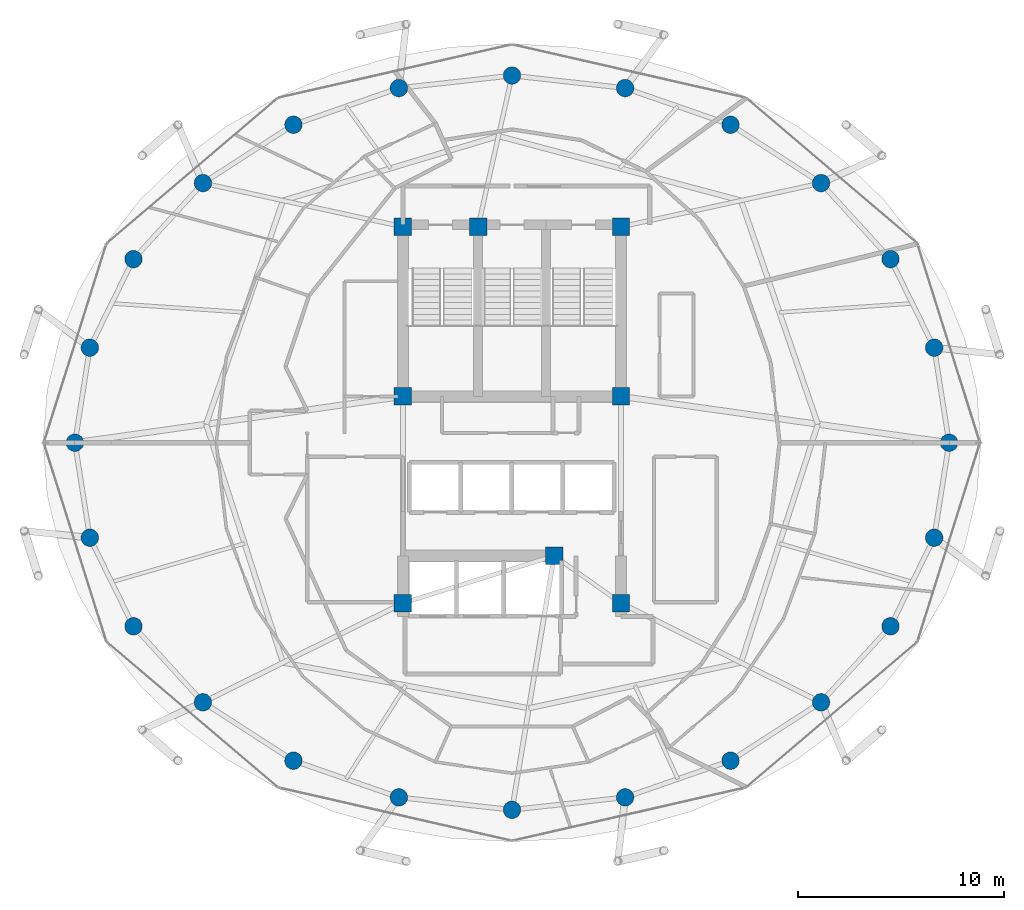
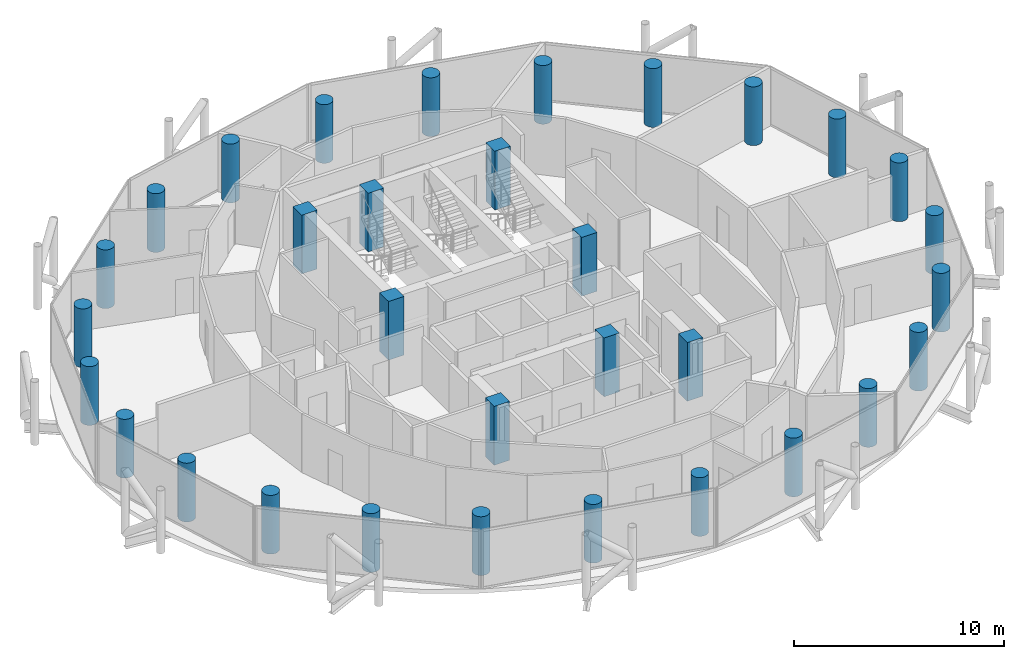
# One storey, part 1 of 28: 32 columns.
"""IFC4 building model written with IfcOpenShell, lengths in metres."""

from ifc_helpers import new_model, si_unit, direction, frame, origin, origin_2d, place, context, subcontext, project, spatial, rectangle, circle, extrude, material, material_profile, profile_set, type_object, element, save


model = new_model("IFC4")

# Units and contexts
model_context = context("Model", 3, precision=1e-05, world=origin(), true_north=direction((0.0, 1.0)))
body_context = subcontext(model_context, "Body", "Model", "MODEL_VIEW")
ifc_project = project(units=[si_unit("LENGTHUNIT", "METRE"), si_unit("AREAUNIT", "SQUARE_METRE"), si_unit("VOLUMEUNIT", "CUBIC_METRE"), si_unit("PLANEANGLEUNIT", "RADIAN"), si_unit("MASSUNIT", "GRAM", prefix="KILO")], contexts=[model_context])

# Site, building, storey
site_placement = place(None, origin())
site = spatial("IfcSite", under=ifc_project, at=site_placement, CompositionType="ELEMENT")
building_placement = place(site_placement, origin())
building = spatial("IfcBuilding", under=site, at=building_placement, Name="Nuhasar Tower", CompositionType="ELEMENT")
storey_placement = place(building_placement, frame((0.0, 0.0, 222.75)))
storey = spatial("IfcBuildingStorey", under=building, at=storey_placement, Name="L54", CompositionType="ELEMENT", Elevation=222.75)

# Columns
ifc_material = material(Name="Concrete C55/67", Category="concrete")
ifc_material_profile_1 = material_profile(ifc_material, circle(Radius=0.425048828125, at=origin_2d()), Name="CFT850")
ifc_profile_set_1 = profile_set([ifc_material_profile_1], Name="Concrete C55/67")
column_type_1 = type_object("IfcColumnType", Name="COL-CFT-850", PredefinedType="COLUMN", material=ifc_profile_set_1)
for number, where, z_axis, x_axis, name in (
    (1, (60.25, 26.800048828125, 0.0), (0.0, 0.0, 1.0), (1.0, 0.0, 0.0), "L54 Perimeter Composite Column TC-01"),
    (2, (59.52587890625, 31.419921875, 0.0), (0.0, 0.0, 1.0), (1.0, 0.0, 0.0), "L54 Perimeter Composite Column TC-02"),
    (3, (57.403076171875, 35.72509765625, 0.0), (0.0, 0.0, 1.0), (1.0, 0.0, 0.0), "L54 Perimeter Composite Column TC-03"),
    (4, (54.02587890625, 39.422119140625, 0.0), (0.0, 0.0, 1.0), (1.0, 0.0, 0.0), "L54 Perimeter Composite Column TC-04"),
    (5, (49.625, 42.259033203125, 0.0), (0.0, 0.0, 1.0), (1.0, 0.0, 0.0), "L54 Perimeter Composite Column TC-05"),
    (6, (44.5, 44.0419921875, 0.0), (0.0, 0.0, 1.0), (1.0, 0.0, 0.0), "L54 Perimeter Composite Column TC-06"),
    (7, (39.0, 44.64990234375, 0.0), (0.0, 0.0, 1.0), (1.0, 0.0, 0.0), "L54 Perimeter Composite Column TC-07"),
    (8, (33.5, 44.0419921875, 0.0), (0.0, 0.0, 1.0), (1.0, 0.0, 0.0), "L54 Perimeter Composite Column TC-08"),
    (9, (28.375, 42.259033203125, 0.0), (0.0, 0.0, 1.0), (1.0, 0.0, 0.0), "L54 Perimeter Composite Column TC-09"),
    (10, (23.97412109375, 39.422119140625, 0.0), (0.0, 0.0, 1.0), (1.0, 0.0, 0.0), "L54 Perimeter Composite Column TC-10"),
    (11, (20.596923828125, 35.72509765625, 0.0), (0.0, 0.0, 1.0), (1.0, 0.0, 0.0), "L54 Perimeter Composite Column TC-11"),
    (12, (18.47412109375, 31.419921875, 0.0), (0.0, 0.0, 1.0), (1.0, 0.0, 0.0), "L54 Perimeter Composite Column TC-12"),
    (13, (17.75, 26.800048828125, 0.0), (0.0, 0.0, 1.0), (1.0, 0.0, 0.0), "L54 Perimeter Composite Column TC-13"),
    (14, (18.47412109375, 22.179931640625, 0.0), (0.0, 0.0, 1.0), (1.0, 0.0, 0.0), "L54 Perimeter Composite Column TC-14"),
    (15, (20.596923828125, 17.875, 0.0), (0.0, 0.0, 1.0), (1.0, 0.0, 0.0), "L54 Perimeter Composite Column TC-15"),
    (16, (23.97412109375, 14.177978515625, 0.0), (0.0, 0.0, 1.0), (1.0, 0.0, 0.0), "L54 Perimeter Composite Column TC-16"),
    (17, (28.375, 11.341064453125, 0.0), (0.0, 0.0, 1.0), (1.0, 0.0, 0.0), "L54 Perimeter Composite Column TC-17"),
    (18, (33.5, 9.55810546875, 0.0), (0.0, 0.0, 1.0), (1.0, 0.0, 0.0), "L54 Perimeter Composite Column TC-18"),
    (19, (39.0, 8.949951171875, 0.0), (0.0, 0.0, 1.0), (1.0, 0.0, 0.0), "L54 Perimeter Composite Column TC-19"),
    (20, (44.5, 9.55810546875, 0.0), (0.0, 0.0, 1.0), (1.0, 0.0, 0.0), "L54 Perimeter Composite Column TC-20"),
    (21, (49.625, 11.341064453125, 0.0), (0.0, 0.0, 1.0), (1.0, 0.0, 0.0), "L54 Perimeter Composite Column TC-21"),
    (22, (54.02587890625, 14.177978515625, 0.0), (0.0, 0.0, 1.0), (1.0, 0.0, 0.0), "L54 Perimeter Composite Column TC-22"),
    (23, (57.403076171875, 17.875, 0.0), (0.0, 0.0, 1.0), (1.0, 0.0, 0.0), "L54 Perimeter Composite Column TC-23"),
    (24, (59.52587890625, 22.179931640625, 0.0), (0.0, 0.0, 1.0), (1.0, 0.0, 0.0), "L54 Perimeter Composite Column TC-24"),
):
    element("IfcColumn", number, at=place(storey_placement, frame(where, z_axis=z_axis, x_axis=x_axis)), inside=storey, type_object=column_type_1, Name=name, PredefinedType="COLUMN", context=body_context, shape_type="SweptSolid", body=[
        extrude(circle(Radius=0.425048828125, at=origin_2d()), origin(), (0.0, 0.0, 1.0), 3.409912109375),
    ])
ifc_material_profile_2 = material_profile(ifc_material, rectangle(XDim=0.85009765625, YDim=0.85009765625, at=origin_2d()), Name="RC850X850")
ifc_profile_set_2 = profile_set([ifc_material_profile_2], Name="Concrete C55/67")
column_type_2 = type_object("IfcColumnType", Name="PIL-RC-850", PredefinedType="PILASTER", material=ifc_profile_set_2)
for number, where, z_axis, x_axis, name in (
    (25, (33.699951171875, 19.0, 0.0), (0.0, 0.0, 1.0), (1.0, 0.0, 0.0), "L54 Core Boundary Pilaster CC-01"),
    (26, (41.050048828125, 21.300048828125, 0.0), (0.0, 0.0, 1.0), (1.0, 0.0, 0.0), "L54 Core Boundary Pilaster CC-02"),
    (27, (44.300048828125, 19.0, 0.0), (0.0, 0.0, 1.0), (1.0, 0.0, 0.0), "L54 Core Boundary Pilaster CC-03"),
    (28, (44.300048828125, 29.050048828125, 0.0), (0.0, 0.0, 1.0), (1.0, 0.0, 0.0), "L54 Core Boundary Pilaster CC-04"),
    (29, (44.300048828125, 37.300048828125, 0.0), (0.0, 0.0, 1.0), (1.0, 0.0, 0.0), "L54 Core Boundary Pilaster CC-05"),
    (30, (37.35009765625, 37.300048828125, 0.0), (0.0, 0.0, 1.0), (1.0, 0.0, 0.0), "L54 Core Boundary Pilaster CC-06"),
    (31, (33.699951171875, 37.300048828125, 0.0), (0.0, 0.0, 1.0), (1.0, 0.0, 0.0), "L54 Core Boundary Pilaster CC-07"),
    (32, (33.699951171875, 29.050048828125, 0.0), (0.0, 0.0, 1.0), (1.0, 0.0, 0.0), "L54 Core Boundary Pilaster CC-08"),
):
    element("IfcColumn", number, at=place(storey_placement, frame(where, z_axis=z_axis, x_axis=x_axis)), inside=storey, type_object=column_type_2, Name=name, PredefinedType="PILASTER", context=body_context, shape_type="SweptSolid", body=[
        extrude(rectangle(XDim=0.85009765625, YDim=0.85009765625, at=origin_2d()), origin(), (0.0, 0.0, 1.0), 3.409912109375),
    ])

save(model, "model.ifc")
